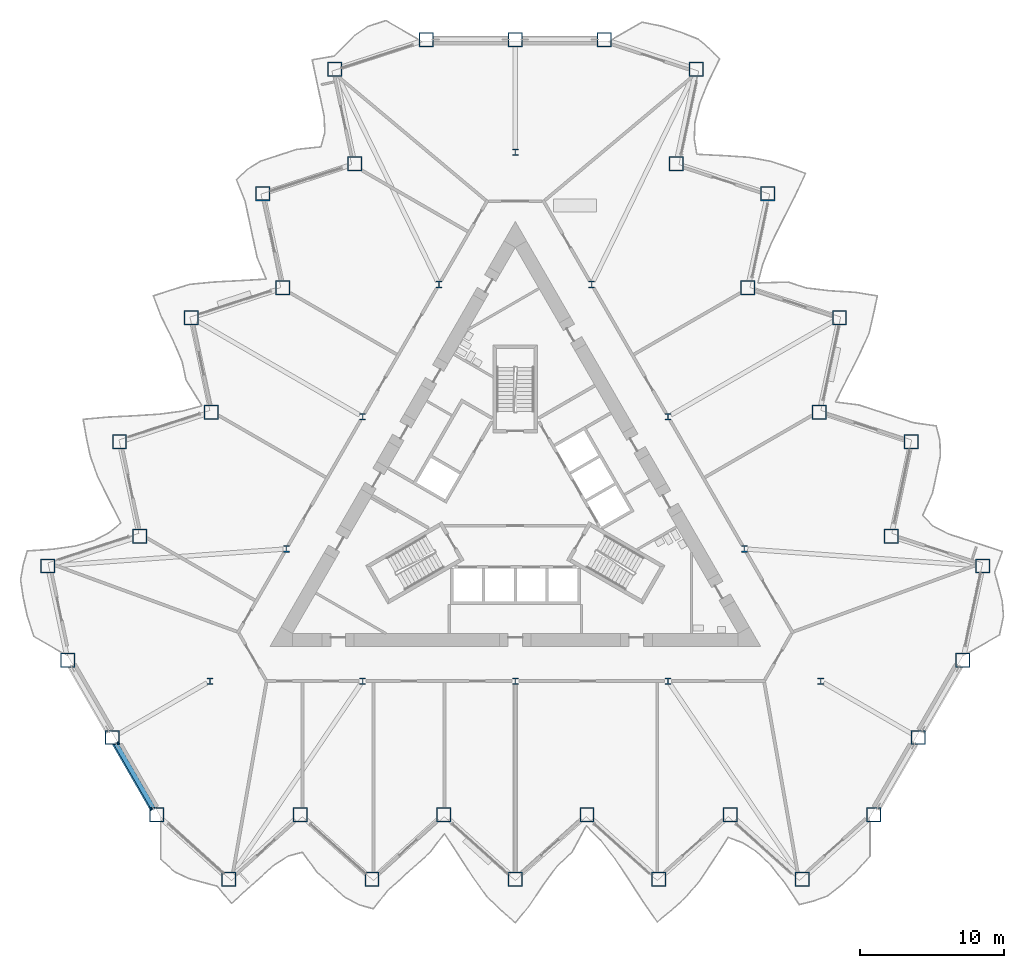
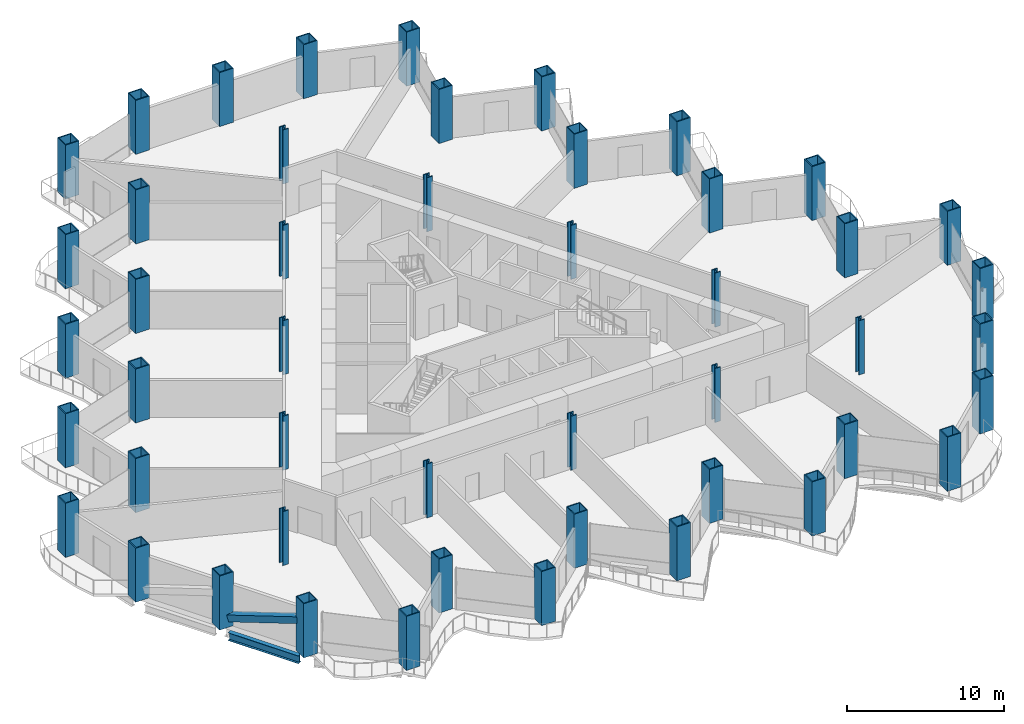
# One storey, part 1 of 21: 48 columns, 1 beam, 1 member.
"""IFC4 building model written with IfcOpenShell, lengths in metres."""

from ifc_helpers import new_model, si_unit, direction, frame, origin, origin_2d, place, context, subcontext, project, spatial, hollow_rectangle, i_section, extrude, material, material_profile, profile_set, type_object, element, save


model = new_model("IFC4")

# Units and contexts
model_context = context("Model", 3, precision=1e-05, world=origin(), true_north=direction((0.0, 1.0)))
body_context = subcontext(model_context, "Body", "Model", "MODEL_VIEW")
ifc_project = project(units=[si_unit("LENGTHUNIT", "METRE"), si_unit("AREAUNIT", "SQUARE_METRE"), si_unit("VOLUMEUNIT", "CUBIC_METRE"), si_unit("PLANEANGLEUNIT", "RADIAN"), si_unit("MASSUNIT", "GRAM", prefix="KILO")], contexts=[model_context])

# Site, building, storey
site_placement = place(None, origin())
site = spatial("IfcSite", under=ifc_project, at=site_placement, CompositionType="ELEMENT")
building_placement = place(site_placement, origin())
building = spatial("IfcBuilding", under=site, at=building_placement, Name="Cormorant Prow Tower", CompositionType="ELEMENT")
storey_placement = place(building_placement, frame((0.0, 0.0, 72.0)))
storey = spatial("IfcBuildingStorey", under=building, at=storey_placement, Name="L15", CompositionType="ELEMENT", Elevation=72.0)

# Columns
ifc_material_1 = material(Name="Structural steel ASTM A572 Gr 50", Category="steel")
ifc_material_profile_1 = material_profile(ifc_material_1, hollow_rectangle(XDim=1.0, YDim=1.0, WallThickness=0.070068359375, at=origin_2d()), Name="Box 1000x1000x70")
ifc_profile_set_1 = profile_set([ifc_material_profile_1], Name="Structural steel ASTM A572 Gr 50")
column_type_1 = type_object("IfcColumnType", Name="Perimeter box column 1000x1000x70", PredefinedType="COLUMN", material=ifc_profile_set_1)
for number, where, z_axis, x_axis, name in (
    (1, (-24.830322265625, -21.4599609375, 0.0), (0.0, 0.0, 1.0), (1.0, 0.0, 0.0), "Perimeter column C2 at S00 L15"),
    (2, (-19.8642578125, -25.931396484375, 0.0), (0.0, 0.0, 1.0), (1.0, 0.0, 0.0), "Perimeter column C2 at S01 L15"),
    (3, (-14.898193359375, -21.4599609375, 0.0), (0.0, 0.0, 1.0), (1.0, 0.0, 0.0), "Perimeter column C2 at S02 L15"),
    (4, (-9.93212890625, -25.931396484375, 0.0), (0.0, 0.0, 1.0), (1.0, 0.0, 0.0), "Perimeter column C2 at S03 L15"),
    (5, (-4.966064453125, -21.4599609375, 0.0), (0.0, 0.0, 1.0), (1.0, 0.0, 0.0), "Perimeter column C2 at S04 L15"),
    (6, (0.0, -25.931396484375, 0.0), (0.0, 0.0, 1.0), (1.0, 0.0, 0.0), "Perimeter column C2 at S05 L15"),
    (7, (4.966064453125, -21.4599609375, 0.0), (0.0, 0.0, 1.0), (1.0, 0.0, 0.0), "Perimeter column C2 at S06 L15"),
    (8, (9.93212890625, -25.931396484375, 0.0), (0.0, 0.0, 1.0), (1.0, 0.0, 0.0), "Perimeter column C2 at S07 L15"),
    (9, (14.898193359375, -21.4599609375, 0.0), (0.0, 0.0, 1.0), (1.0, 0.0, 0.0), "Perimeter column C2 at S08 L15"),
    (10, (19.8642578125, -25.931396484375, 0.0), (0.0, 0.0, 1.0), (1.0, 0.0, 0.0), "Perimeter column C2 at S09 L15"),
    (11, (24.830322265625, -21.4599609375, 0.0), (0.0, 0.0, 1.0), (1.0, 0.0, 0.0), "Perimeter column C2 at ESE00 L15"),
    (12, (27.915283203125, -16.116943359375, 0.0), (0.0, 0.0, 1.0), (1.0, 0.0, 0.0), "Perimeter column C2 at ESE01 L15"),
    (13, (31.0, -10.773681640625, 0.0), (0.0, 0.0, 1.0), (1.0, 0.0, 0.0), "Perimeter column C2 at ENE00 L15"),
    (14, (32.389404296875, -4.2373046875, 0.0), (0.0, 0.0, 1.0), (1.0, 0.0, 0.0), "Perimeter column C2 at ENE01 L15"),
    (15, (26.033935546875, -2.17236328125, 0.0), (0.0, 0.0, 1.0), (1.0, 0.0, 0.0), "Perimeter column C2 at ENE02 L15"),
    (16, (27.42333984375, 4.3642578125, 0.0), (0.0, 0.0, 1.0), (1.0, 0.0, 0.0), "Perimeter column C2 at ENE03 L15"),
    (17, (21.06787109375, 6.42919921875, 0.0), (0.0, 0.0, 1.0), (1.0, 0.0, 0.0), "Perimeter column C2 at ENE04 L15"),
    (18, (22.457275390625, 12.965576171875, 0.0), (0.0, 0.0, 1.0), (1.0, 0.0, 0.0), "Perimeter column C2 at ENE05 L15"),
    (19, (16.101806640625, 15.03076171875, 0.0), (0.0, 0.0, 1.0), (1.0, 0.0, 0.0), "Perimeter column C2 at ENE06 L15"),
    (20, (17.4912109375, 21.567138671875, 0.0), (0.0, 0.0, 1.0), (1.0, 0.0, 0.0), "Perimeter column C2 at ENE07 L15"),
    (21, (11.1357421875, 23.632080078125, 0.0), (0.0, 0.0, 1.0), (1.0, 0.0, 0.0), "Perimeter column C2 at ENE08 L15"),
    (22, (12.525146484375, 30.168701171875, 0.0), (0.0, 0.0, 1.0), (1.0, 0.0, 0.0), "Perimeter column C2 at ENE09 L15"),
    (23, (6.169677734375, 32.233642578125, 0.0), (0.0, 0.0, 1.0), (1.0, 0.0, 0.0), "Perimeter column C2 at N00 L15"),
    (24, (0.0, 32.233642578125, 0.0), (0.0, 0.0, 1.0), (1.0, 0.0, 0.0), "Perimeter column C2 at N01 L15"),
    (25, (-6.169677734375, 32.233642578125, 0.0), (0.0, 0.0, 1.0), (1.0, 0.0, 0.0), "Perimeter column C2 at WNW00 L15"),
    (26, (-12.525146484375, 30.168701171875, 0.0), (0.0, 0.0, 1.0), (1.0, 0.0, 0.0), "Perimeter column C2 at WNW01 L15"),
    (27, (-11.1357421875, 23.632080078125, 0.0), (0.0, 0.0, 1.0), (1.0, 0.0, 0.0), "Perimeter column C2 at WNW02 L15"),
    (28, (-17.4912109375, 21.567138671875, 0.0), (0.0, 0.0, 1.0), (1.0, 0.0, 0.0), "Perimeter column C2 at WNW03 L15"),
    (29, (-16.101806640625, 15.03076171875, 0.0), (0.0, 0.0, 1.0), (1.0, 0.0, 0.0), "Perimeter column C2 at WNW04 L15"),
    (30, (-22.457275390625, 12.965576171875, 0.0), (0.0, 0.0, 1.0), (1.0, 0.0, 0.0), "Perimeter column C2 at WNW05 L15"),
    (31, (-21.06787109375, 6.42919921875, 0.0), (0.0, 0.0, 1.0), (1.0, 0.0, 0.0), "Perimeter column C2 at WNW06 L15"),
    (32, (-27.42333984375, 4.3642578125, 0.0), (0.0, 0.0, 1.0), (1.0, 0.0, 0.0), "Perimeter column C2 at WNW07 L15"),
    (33, (-26.033935546875, -2.17236328125, 0.0), (0.0, 0.0, 1.0), (1.0, 0.0, 0.0), "Perimeter column C2 at WNW08 L15"),
    (34, (-32.389404296875, -4.2373046875, 0.0), (0.0, 0.0, 1.0), (1.0, 0.0, 0.0), "Perimeter column C2 at WNW09 L15"),
    (35, (-31.0, -10.773681640625, 0.0), (0.0, 0.0, 1.0), (1.0, 0.0, 0.0), "Perimeter column C2 at WSW00 L15"),
    (36, (-27.915283203125, -16.116943359375, 0.0), (0.0, 0.0, 1.0), (1.0, 0.0, 0.0), "Perimeter column C2 at WSW01 L15"),
):
    element("IfcColumn", number, at=place(storey_placement, frame(where, z_axis=z_axis, x_axis=x_axis)), inside=storey, type_object=column_type_1, Name=name, PredefinedType="COLUMN", context=body_context, shape_type="SweptSolid", body=[
        extrude(hollow_rectangle(XDim=1.0, YDim=1.0, WallThickness=0.070068359375, at=origin_2d()), origin(), (0.0, 0.0, 1.0), 4.199951171875),
    ])
ifc_material_2 = material(Name="Structural steel ASTM A992 Gr 50", Category="steel")
ifc_material_profile_2 = material_profile(ifc_material_2, i_section(OverallWidth=0.42138671875, OverallDepth=0.464599609375, WebThickness=0.044921875, FlangeThickness=0.072265625, at=origin_2d()), Name="W14x398")
ifc_profile_set_2 = profile_set([ifc_material_profile_2], Name="Structural steel ASTM A992 Gr 50")
column_type_2 = type_object("IfcColumnType", Name="Ring column W14x398", PredefinedType="COLUMN", material=ifc_profile_set_2)
for number, where, z_axis, x_axis, name in (
    (37, (0.0, 24.429931640625, 0.0), (0.0, 0.0, 1.0), (1.0, 0.0, 0.0), "Ring column 1 L15"),
    (38, (-5.289306640625, 15.268798828125, 0.0), (0.0, 0.0, 1.0), (1.0, 0.0, 0.0), "Ring column 2 L15"),
    (39, (-10.578369140625, 6.107421875, 0.0), (0.0, 0.0, 1.0), (1.0, 0.0, 0.0), "Ring column 3 L15"),
    (40, (-15.86767578125, -3.0537109375, 0.0), (0.0, 0.0, 1.0), (1.0, 0.0, 0.0), "Ring column 4 L15"),
    (41, (-21.156982421875, -12.21484375, 0.0), (0.0, 0.0, 1.0), (1.0, 0.0, 0.0), "Ring column 5 L15"),
    (42, (-10.578369140625, -12.21484375, 0.0), (0.0, 0.0, 1.0), (1.0, 0.0, 0.0), "Ring column 6 L15"),
    (43, (0.0, -12.21484375, 0.0), (0.0, 0.0, 1.0), (1.0, 0.0, 0.0), "Ring column 7 L15"),
    (44, (10.578369140625, -12.21484375, 0.0), (0.0, 0.0, 1.0), (1.0, 0.0, 0.0), "Ring column 8 L15"),
    (45, (21.156982421875, -12.21484375, 0.0), (0.0, 0.0, 1.0), (1.0, 0.0, 0.0), "Ring column 9 L15"),
    (46, (15.86767578125, -3.0537109375, 0.0), (0.0, 0.0, 1.0), (1.0, 0.0, 0.0), "Ring column 10 L15"),
    (47, (10.578369140625, 6.107421875, 0.0), (0.0, 0.0, 1.0), (1.0, 0.0, 0.0), "Ring column 11 L15"),
    (48, (5.289306640625, 15.268798828125, 0.0), (0.0, 0.0, 1.0), (1.0, 0.0, 0.0), "Ring column 12 L15"),
):
    element("IfcColumn", number, at=place(storey_placement, frame(where, z_axis=z_axis, x_axis=x_axis)), inside=storey, type_object=column_type_2, Name=name, PredefinedType="COLUMN", context=body_context, shape_type="SweptSolid", body=[
        extrude(i_section(OverallWidth=0.42138671875, OverallDepth=0.464599609375, WebThickness=0.044921875, FlangeThickness=0.072265625, at=origin_2d()), origin(), (0.0, 0.0, 1.0), 4.199951171875),
    ])

# Member
ifc_material_3 = material(Name="Structural steel ASTM A500 Gr C", Category="steel")
ifc_material_profile_3 = material_profile(ifc_material_3, hollow_rectangle(XDim=0.508056640625, YDim=0.508056640625, WallThickness=0.014892578125, at=origin_2d()), Name="HSS20x20x5/8")
ifc_profile_set_3 = profile_set([ifc_material_profile_3], Name="Structural steel ASTM A500 Gr C")
member_type = type_object("IfcMemberType", Name="Chamfer brace HSS20x20x5/8", PredefinedType="BRACE", material=ifc_profile_set_3)
member_placement = place(storey_placement, frame((-27.65576171875, -16.566162109375, 0.767333984375), z_axis=(0.475899695849, -0.824255918841, 0.306792535351), x_axis=(0.866018434186, 0.500012071504, 0.0)))
element("IfcMember", 49, at=member_placement, inside=storey, type_object=member_type, Name="Chamfer brace BR1 at WSW01 L15", PredefinedType="BRACE", context=body_context, shape_type="SweptSolid", body=[
    extrude(hollow_rectangle(XDim=0.508056640625, YDim=0.508056640625, WallThickness=0.014892578125, at=origin_2d()), origin(), (0.0, 0.0, 1.0), 5.392333984375),
])

# Beam
ifc_material_4 = material(Name="Structural steel ASTM A992 Gr 50", Category="steel")
ifc_material_profile_4 = material_profile(ifc_material_4, i_section(OverallWidth=0.32373046875, OverallDepth=0.611083984375, WebThickness=0.0126953125, FlangeThickness=0.01904296875, at=origin_2d()), Name="W24x104")
ifc_profile_set_4 = profile_set([ifc_material_profile_4], Name="Structural steel ASTM A992 Gr 50")
beam_type = type_object("IfcBeamType", Name="Spandrel beam W24x104", PredefinedType="SPANDREL", material=ifc_profile_set_4)
beam_placement = place(storey_placement, frame((-27.665283203125, -16.5498046875, -0.70556640625), z_axis=(0.500019507279, -0.866014140959, 0.0), x_axis=(0.866014140959, 0.500019507279, 0.0)))
element("IfcBeam", 50, at=beam_placement, inside=storey, type_object=beam_type, Name="Spandrel beam SB1 WSW01-S00 L15", PredefinedType="SPANDREL", context=body_context, shape_type="SweptSolid", body=[
    extrude(i_section(OverallWidth=0.32373046875, OverallDepth=0.611083984375, WebThickness=0.0126953125, FlangeThickness=0.01904296875, at=origin_2d()), origin(), (0.0, 0.0, 1.0), 5.169677734375),
])

save(model, "model.ifc")
